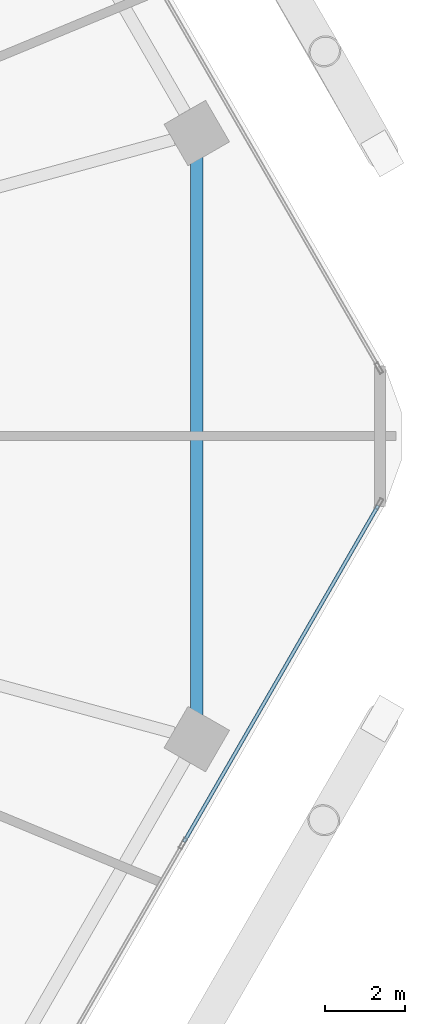
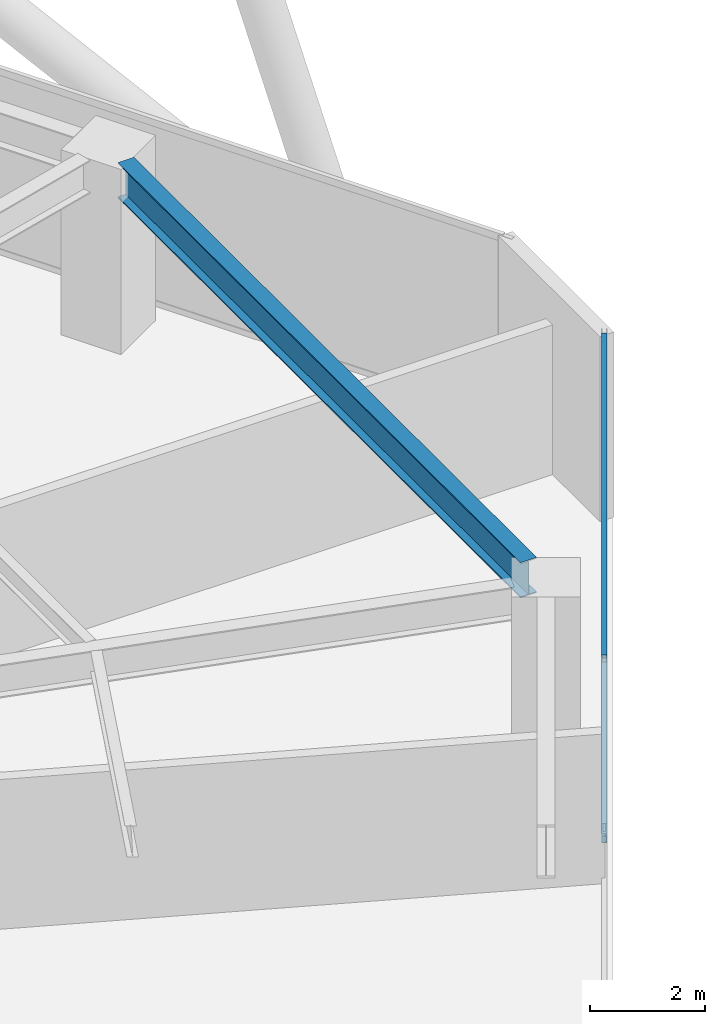
# One storey, part 12 of 28: 2 members, 1 beam, 1 element without a shape of its own.
"""IFC4 building model written with IfcOpenShell, lengths in metres."""

import ifcopenshell
import ifcopenshell.guid

model = None  # the IFC model being written
_history = None  # IfcOwnerHistory: only IFC2X3 demands one
_inside = {}  # id of a spatial element -> (the spatial element, [elements in it])
_under = {}  # id of a project, library or spatial element -> (it, [spatial elements below it])
_declared = {}  # id of a project -> (the project, [libraries it declares])
_typed = {}  # id of a type object -> (the type object, [elements of that type])
_made_of = {}  # id of a material, layer set ... -> (it, [elements and type objects made of it])


def new_model(schema):
    """Start an empty IFC model of exactly this schema.

    Asked for "IFC4X3", IfcOpenShell would pick the latest addendum, in which some entities
    have other attributes; the version numbers below select the first issue.
    IFC2X3 requires an IfcOwnerHistory on every rooted entity: one is made here for all.
    """
    global model, _history
    if schema == "IFC4X3":
        model = ifcopenshell.file(schema_version=(4, 3, 0, 0))
    else:
        model = ifcopenshell.file(schema=schema)
    _inside.clear()
    _under.clear()
    _declared.clear()
    _typed.clear()
    _made_of.clear()
    _history = None
    if model.schema == "IFC2X3":
        org = make("IfcOrganization", Name="unknown")
        user = make(
            "IfcPersonAndOrganization",
            ThePerson=make("IfcPerson", FamilyName="unknown"),
            TheOrganization=org,
        )
        app = make(
            "IfcApplication",
            ApplicationDeveloper=org,
            Version="unknown",
            ApplicationFullName="unknown",
            ApplicationIdentifier="unknown",
        )
        _history = make(
            "IfcOwnerHistory",
            OwningUser=user,
            OwningApplication=app,
            ChangeAction="ADDED",
            CreationDate=0,
        )
    return model


def make(cls, **values):
    """One entity of the class cls with the attributes given. An attribute that is None is left unset."""
    return model.create_entity(
        cls, **{name: value for name, value in values.items() if value is not None}
    )


def rooted(cls, **values):
    """An entity with a GlobalId (a new one), such as an element, a storey or a relation."""
    return make(cls, GlobalId=ifcopenshell.guid.new(), OwnerHistory=_history, **values)


def si_unit(unit_type, name, prefix=None):
    """IfcSIUnit, for example si_unit("LENGTHUNIT", "METRE", prefix="MILLI")."""
    return make("IfcSIUnit", UnitType=unit_type, Prefix=prefix, Name=name)


def assignment(units):
    """IfcUnitAssignment: the units of a project."""
    return None if units is None else make("IfcUnitAssignment", Units=units)


def point(xyz):
    """IfcCartesianPoint."""
    return None if xyz is None else make("IfcCartesianPoint", Coordinates=xyz)


def direction(xyz):
    """IfcDirection."""
    return None if xyz is None else make("IfcDirection", DirectionRatios=xyz)


def frame(location, z_axis=None, x_axis=None):
    """IfcAxis2Placement3D, a coordinate frame: its origin and axes. An axis left out is left unset."""
    return make(
        "IfcAxis2Placement3D",
        Location=point(location),
        Axis=direction(z_axis),
        RefDirection=direction(x_axis),
    )


def frame_2d(location, x_axis=None):
    """IfcAxis2Placement2D, a coordinate frame in the plane: its origin and x axis."""
    return make(
        "IfcAxis2Placement2D", Location=point(location), RefDirection=direction(x_axis)
    )


def origin():
    """The frame at (0, 0, 0) with its axes left unset."""
    return frame((0.0, 0.0, 0.0))


def origin_2d():
    """The frame at (0, 0) in the plane with its x axis left unset."""
    return frame_2d((0.0, 0.0))


def place(relative_to, where):
    """IfcLocalPlacement: puts the frame where relative to a parent placement (None: the world)."""
    return make(
        "IfcLocalPlacement", PlacementRelTo=relative_to, RelativePlacement=where
    )


def context(
    kind, dimensions, precision=None, world=None, true_north=None, identifier=None
):
    """IfcGeometricRepresentationContext, for example the 3D "Model" context."""
    return make(
        "IfcGeometricRepresentationContext",
        ContextIdentifier=identifier,
        ContextType=kind,
        CoordinateSpaceDimension=dimensions,
        Precision=precision,
        WorldCoordinateSystem=world,
        TrueNorth=true_north,
    )


def subcontext(parent, identifier, kind, view, scale=None):
    """IfcGeometricRepresentationSubContext, for example "Body" below "Model"."""
    return make(
        "IfcGeometricRepresentationSubContext",
        ContextIdentifier=identifier,
        ContextType=kind,
        ParentContext=parent,
        TargetScale=scale,
        TargetView=view,
    )


def project(units=None, contexts=None):
    """IfcProject with its units and contexts."""
    return rooted(
        "IfcProject",
        Name="project",
        RepresentationContexts=contexts,
        UnitsInContext=assignment(units),
    )


def spatial(cls, under=None, at=None, **own):
    """A site, building, storey or space (cls), placed at a placement, below another one or the project."""
    s = rooted(cls, ObjectPlacement=at, **own)
    if under is not None:
        _under.setdefault(under.id(), (under, []))[1].append(s)
    return s


def profile(cls, at=None, kind="AREA", **sizes):
    """A parametric profile (cls). Its sizes go by their IFC names, for example OverallWidth=200.0."""
    return make(cls, ProfileType=kind, Position=at, **sizes)


def hollow_rectangle(**sizes):
    """IfcRectangleHollowProfileDef."""
    return profile("IfcRectangleHollowProfileDef", **sizes)


def i_section(**sizes):
    """IfcIShapeProfileDef."""
    return profile("IfcIShapeProfileDef", **sizes)


def extrude(swept, where, along, depth):
    """IfcExtrudedAreaSolid: the profile swept, set in the frame where, extruded along a direction by depth."""
    return make(
        "IfcExtrudedAreaSolid",
        SweptArea=swept,
        Position=where,
        ExtrudedDirection=direction(along),
        Depth=depth,
    )


def shape(context_of_items, identifier, shape_type, items):
    """IfcShapeRepresentation: the items that make up one representation, for example the "Body"."""
    return make(
        "IfcShapeRepresentation",
        ContextOfItems=context_of_items,
        RepresentationIdentifier=identifier,
        RepresentationType=shape_type,
        Items=items,
    )


def material(Name=None, Category=None):
    """IfcMaterial."""
    return make("IfcMaterial", Name=Name, Category=Category)


def material_profile(
    of_material, cross_section, Name=None, Category=None, Priority=None
):
    """IfcMaterialProfile: a cross section and its material."""
    return make(
        "IfcMaterialProfile",
        Name=Name,
        Material=of_material,
        Profile=cross_section,
        Priority=Priority,
        Category=Category,
    )


def profile_set(profiles, Name=None, composite=None):
    """IfcMaterialProfileSet."""
    return make(
        "IfcMaterialProfileSet",
        Name=Name,
        MaterialProfiles=profiles,
        CompositeProfile=composite,
    )


def made_of(thing, what):
    """Note that an element or type object is made of a material, layer set ...; save() writes the relation."""
    if what is not None:
        _made_of.setdefault(what.id(), (what, []))[1].append(thing)
    return thing


def type_object(cls, material=None, **own):
    """A type object (cls), such as IfcWallType, which elements share."""
    return made_of(rooted(cls, **own), material)


def element(
    cls,
    number,
    at=None,
    inside=None,
    cuts=None,
    type_object=None,
    material=None,
    context=None,
    identifier="Body",
    shape_type=None,
    held_by="IfcProductDefinitionShape",
    body=None,
    shapes=None,
    **own,
):
    """One element of the class cls, such as IfcWall. Its Tag is "e" and its number.

    at: its placement. inside: the storey or other place that contains it. cuts: it is an
    opening in that element (IfcRelVoidsElement). A single representation is given by context,
    identifier, shape_type and body (its items); several are given by shapes. held_by: the class
    of the entity that holds the representations. save() writes the other relations.
    """
    e = rooted(cls, Tag="e%d" % number, ObjectPlacement=at, **own)
    if body is not None:
        shapes = [shape(context, identifier, shape_type, body)]
    if shapes is not None:
        e.Representation = make(held_by, Representations=shapes)
    if inside is not None:
        _inside.setdefault(inside.id(), (inside, []))[1].append(e)
    if cuts is not None:
        rooted(
            "IfcRelVoidsElement", RelatingBuildingElement=cuts, RelatedOpeningElement=e
        )
    if type_object is not None:
        _typed.setdefault(type_object.id(), (type_object, []))[1].append(e)
    return made_of(e, material)


def aggregate(whole, parts):
    """IfcRelAggregates: a whole, such as a stair, and the parts it consists of."""
    return rooted("IfcRelAggregates", RelatingObject=whole, RelatedObjects=parts)


def save(model, path):
    """Write the relations noted so far, then the file.

    IfcRelAggregates (storeys below a building ...), IfcRelContainedInSpatialStructure (elements
    in a storey), IfcRelDefinesByType, IfcRelAssociatesMaterial and IfcRelDeclares: one each for
    every whole, place, type object, material and project.
    """
    for whole, parts in _under.values():
        aggregate(whole, parts)
    for where, things in _inside.values():
        rooted(
            "IfcRelContainedInSpatialStructure",
            RelatedElements=things,
            RelatingStructure=where,
        )
    for kind, things in _typed.values():
        rooted("IfcRelDefinesByType", RelatedObjects=things, RelatingType=kind)
    for what, things in _made_of.values():
        rooted("IfcRelAssociatesMaterial", RelatedObjects=things, RelatingMaterial=what)
    for by, libraries in _declared.values():
        rooted("IfcRelDeclares", RelatingContext=by, RelatedDefinitions=libraries)
    model.write(path)


model = new_model("IFC4")

# Units and contexts
model_context = context("Model", 3, precision=1e-05, world=origin(), true_north=direction((0.0, 1.0)))
body_context = subcontext(model_context, "Body", "Model", "MODEL_VIEW")
ifc_project = project(units=[si_unit("LENGTHUNIT", "METRE"), si_unit("AREAUNIT", "SQUARE_METRE"), si_unit("VOLUMEUNIT", "CUBIC_METRE"), si_unit("PLANEANGLEUNIT", "RADIAN"), si_unit("MASSUNIT", "GRAM", prefix="KILO")], contexts=[model_context])

# Site, building, storey
site_placement = place(None, origin())
site = spatial("IfcSite", under=ifc_project, at=site_placement, CompositionType="ELEMENT")
building_placement = place(site_placement, origin())
building = spatial("IfcBuilding", under=site, at=building_placement, Name="Zuhravey Tower", CompositionType="ELEMENT")
storey_placement = place(building_placement, frame((0.0, 0.0, 75.0)))
storey = spatial("IfcBuildingStorey", under=building, at=storey_placement, Name="L18", CompositionType="ELEMENT", Elevation=75.0)

# Curtain wall, members
ifc_material_1 = material(Name="Thermally broken anodised aluminium", Category="aluminium")
curtain_wall_type = type_object("IfcCurtainWallType", Name="School Low-E Unitised Curtain Wall CW1", PredefinedType="NOTDEFINED", material=ifc_material_1)
curtain_wall_placement = place(storey_placement, origin())
curtain_wall = element("IfcCurtainWall", 1, at=curtain_wall_placement, inside=storey, type_object=curtain_wall_type, Name="L18 CW1 CW-L18-F6-1", PredefinedType="NOTDEFINED")
ifc_material_2 = material(Name="Anodised aluminium", Category="aluminium")
ifc_material_profile_1 = material_profile(ifc_material_2, hollow_rectangle(XDim=0.090087890625, YDim=0.14990234375, WallThickness=0.0048828125, at=origin_2d()), Name="ALU-RHS-90x150x5")
ifc_profile_set_1 = profile_set([ifc_material_profile_1], Name="Anodised aluminium")
member_type = type_object("IfcMemberType", Name="Curtain-Wall Transom 90x150", PredefinedType="USERDEFINED", material=ifc_profile_set_1)
member_1_placement = place(storey_placement, frame((68.43359375, 30.259521484375, 0.044921875), z_axis=(-0.500008393077, -0.866020557985, 0.0), x_axis=(0.866020557985, -0.500008393077, 0.0)))
member_1 = element("IfcMember", 2, at=member_1_placement, type_object=member_type, Name="CW1 transom 1.1", ObjectType="TRANSOM", PredefinedType="USERDEFINED", context=body_context, shape_type="SweptSolid", body=[
    extrude(hollow_rectangle(XDim=0.090087890625, YDim=0.14990234375, WallThickness=0.0048828125, at=origin_2d()), origin(), (0.0, 0.0, 1.0), 9.731201171875),
])
member_2_placement = place(storey_placement, frame((68.43359375, 30.259521484375, 3.875), z_axis=(-0.500008393077, -0.866020557985, 0.0), x_axis=(0.866020557985, -0.500008393077, 0.0)))
member_2 = element("IfcMember", 3, at=member_2_placement, type_object=member_type, Name="CW1 transom 1.2", ObjectType="TRANSOM", PredefinedType="USERDEFINED", context=body_context, shape_type="SweptSolid", body=[
    extrude(hollow_rectangle(XDim=0.090087890625, YDim=0.14990234375, WallThickness=0.0048828125, at=origin_2d()), origin(), (0.0, 0.0, 1.0), 9.731201171875),
])
aggregate(curtain_wall, [member_1, member_2])

# Beam
ifc_material_3 = material(Name="Steel SM355", Category="steel")
ifc_material_profile_2 = material_profile(ifc_material_3, i_section(OverallWidth=0.320068359375, OverallDepth=0.75, WebThickness=0.013916015625, FlangeThickness=0.02490234375, at=origin_2d()), Name="H-750x320x14x25")
ifc_profile_set_2 = profile_set([ifc_material_profile_2], Name="Steel SM355")
beam_type = type_object("IfcBeamType", Name="Perimeter Ring Beam H750x320", PredefinedType="BEAM", material=ifc_profile_set_2)
beam_placement = place(storey_placement, frame((63.88916015625, 25.011474609375, 3.544921875), z_axis=(0.0, 1.0, 0.0), x_axis=(-1.0, 0.0, 0.0)))
element("IfcBeam", 4, at=beam_placement, inside=storey, type_object=beam_type, Name="L18 PB1 BM-L18-PB-12", PredefinedType="BEAM", context=body_context, shape_type="SweptSolid", body=[
    extrude(i_section(OverallWidth=0.320068359375, OverallDepth=0.75, WebThickness=0.013916015625, FlangeThickness=0.02490234375, at=origin_2d()), origin(), (0.0, 0.0, 1.0), 13.97705078125),
])

save(model, "model.ifc")
